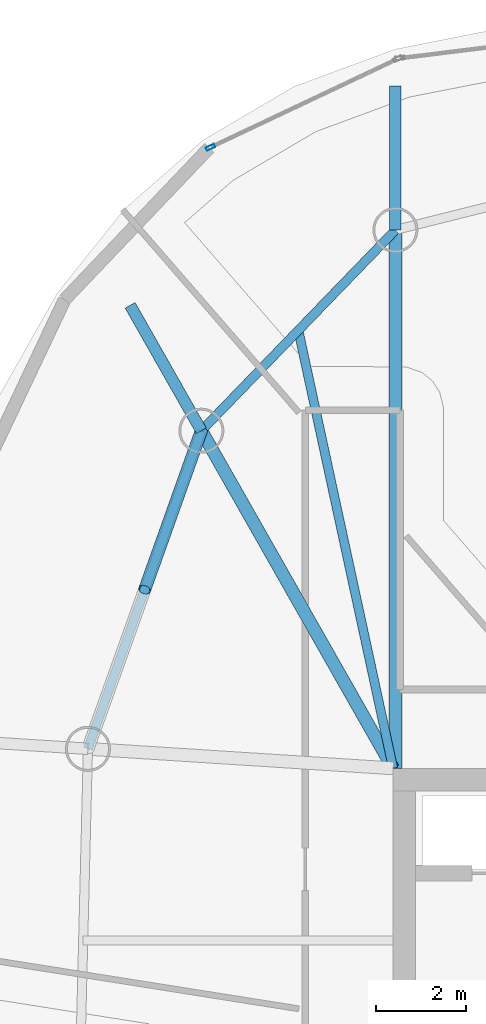
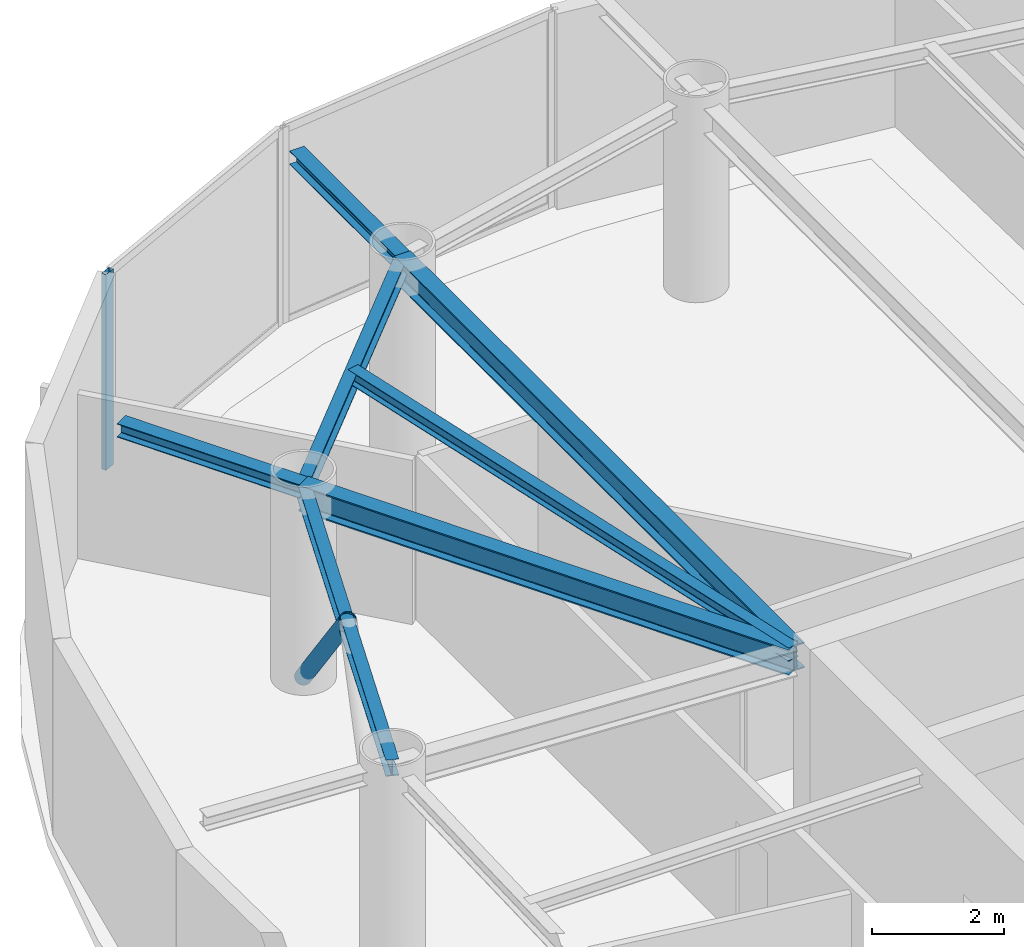
# One storey, part 11 of 21: 7 beams, 2 members, 1 element without a shape of its own.
"""IFC4 building model written with IfcOpenShell, lengths in metres."""

from ifc_helpers import new_model, si_unit, direction, frame, origin, origin_2d, place, context, subcontext, project, spatial, hollow_rectangle, hollow_circle, i_section, extrude, material, layer, layer_set, material_profile, profile_set, type_object, element, aggregate, save


model = new_model("IFC4")

# Units and contexts
model_context = context("Model", 3, precision=1e-05, world=origin(), true_north=direction((0.0, 1.0)))
body_context = subcontext(model_context, "Body", "Model", "MODEL_VIEW")
ifc_project = project(units=[si_unit("LENGTHUNIT", "METRE"), si_unit("AREAUNIT", "SQUARE_METRE"), si_unit("VOLUMEUNIT", "CUBIC_METRE"), si_unit("PLANEANGLEUNIT", "RADIAN"), si_unit("MASSUNIT", "GRAM", prefix="KILO")], contexts=[model_context])

# Site, building, storey
site_placement = place(None, origin())
site = spatial("IfcSite", under=ifc_project, at=site_placement, CompositionType="ELEMENT")
building_placement = place(site_placement, origin())
building = spatial("IfcBuilding", under=site, at=building_placement, Name="Bramvorn Convention Spire", CompositionType="ELEMENT")
storey_placement = place(building_placement, frame((0.0, 0.0, 249.75)))
storey = spatial("IfcBuildingStorey", under=building, at=storey_placement, Name="L63", CompositionType="ELEMENT", Elevation=249.75)

# Beams
ifc_material_1 = material(Name="Steel CSA G40.21 Grade 350 (350W)", Category="steel")
ifc_material_profile_1 = material_profile(ifc_material_1, i_section(OverallWidth=0.201904296875, OverallDepth=0.2470703125, WebThickness=0.00732421875, FlangeThickness=0.010986328125, FilletRadius=0.011962890625, at=origin_2d()))
ifc_profile_set_1 = profile_set([ifc_material_profile_1], Name="Steel CSA G40.21 Grade 350 (350W) - W250X49")
beam_type_1 = type_object("IfcBeamType", Name="BM-W250X49", PredefinedType="JOIST", material=ifc_profile_set_1)
beam_1_placement = place(storey_placement, frame((26.75, 33.449951171875, 3.50146484375), z_axis=(-0.211461445939, 0.977386339623, 0.0), x_axis=(-0.977386339623, -0.211461445939, 0.0)))
element("IfcBeam", 1, at=beam_1_placement, inside=storey, type_object=beam_type_1, Name="L63 composite floor joist 09", PredefinedType="JOIST", context=body_context, shape_type="SweptSolid", body=[
    extrude(i_section(OverallWidth=0.201904296875, OverallDepth=0.2470703125, WebThickness=0.00732421875, FlangeThickness=0.010986328125, FilletRadius=0.011962890625, at=origin_2d()), origin(), (0.0, 0.0, 1.0), 9.9462890625),
])
ifc_material_profile_2 = material_profile(ifc_material_1, i_section(OverallWidth=0.25390625, OverallDepth=0.2529296875, WebThickness=0.008544921875, FlangeThickness=0.01416015625, FilletRadius=0.011962890625, at=origin_2d()))
ifc_profile_set_2 = profile_set([ifc_material_profile_2], Name="Steel CSA G40.21 Grade 350 (350W) - W250X73")
beam_type_2 = type_object("IfcBeamType", Name="BM-W250X73", PredefinedType="BEAM", material=ifc_profile_set_2)
beam_2_placement = place(storey_placement, frame((26.800048828125, 45.39892578125, 3.49853515625), z_axis=(0.0, 1.0, 0.0), x_axis=(-1.0, 0.0, 0.0)))
element("IfcBeam", 2, at=beam_2_placement, inside=storey, type_object=beam_type_2, Name="L63 slab-edge cantilever tip beam MC09", PredefinedType="BEAM", context=body_context, shape_type="SweptSolid", body=[
    extrude(i_section(OverallWidth=0.25390625, OverallDepth=0.2529296875, WebThickness=0.008544921875, FlangeThickness=0.01416015625, FilletRadius=0.011962890625, at=origin_2d()), origin(), (0.0, 0.0, 1.0), 3.2001953125),
])
beam_3_placement = place(storey_placement, frame((22.49365234375, 40.94384765625, 3.49853515625), z_axis=(-0.493918961888, 0.869507940785, 0.0), x_axis=(-0.869507940785, -0.493918961888, 0.0)))
element("IfcBeam", 3, at=beam_3_placement, inside=storey, type_object=beam_type_2, Name="L63 slab-edge cantilever tip beam MC10", PredefinedType="BEAM", context=body_context, shape_type="SweptSolid", body=[
    extrude(i_section(OverallWidth=0.25390625, OverallDepth=0.2529296875, WebThickness=0.008544921875, FlangeThickness=0.01416015625, FilletRadius=0.011962890625, at=origin_2d()), origin(), (0.0, 0.0, 1.0), 3.199951171875),
])
ifc_material_profile_3 = material_profile(ifc_material_1, i_section(OverallWidth=0.202880859375, OverallDepth=0.302978515625, WebThickness=0.007568359375, FlangeThickness=0.01318359375, FilletRadius=0.013916015625, at=origin_2d()))
ifc_profile_set_3 = profile_set([ifc_material_profile_3], Name="Steel CSA G40.21 Grade 350 (350W) - W310X60")
beam_type_3 = type_object("IfcBeamType", Name="BM-W310X60", PredefinedType="JOIST", material=ifc_profile_set_3)
beam_4_placement = place(storey_placement, frame((26.800048828125, 45.39892578125, 3.473388671875), z_axis=(-0.695007159797, -0.719002814898, 0.0), x_axis=(0.719002814898, -0.695007159797, 0.0)))
element("IfcBeam", 4, at=beam_4_placement, inside=storey, type_object=beam_type_3, Name="L63 mega-column ring beam 09", PredefinedType="JOIST", context=body_context, shape_type="SweptSolid", body=[
    extrude(i_section(OverallWidth=0.202880859375, OverallDepth=0.302978515625, WebThickness=0.007568359375, FlangeThickness=0.01318359375, FilletRadius=0.013916015625, at=origin_2d()), origin(), (0.0, 0.0, 1.0), 6.1962890625),
])
beam_5_placement = place(storey_placement, frame((22.49365234375, 40.94384765625, 3.473388671875), z_axis=(-0.335839090413, -0.941919373063, 0.0), x_axis=(0.941919373063, -0.335839090413, 0.0)))
element("IfcBeam", 5, at=beam_5_placement, inside=storey, type_object=beam_type_3, Name="L63 mega-column ring beam 10", PredefinedType="JOIST", context=body_context, shape_type="SweptSolid", body=[
    extrude(i_section(OverallWidth=0.202880859375, OverallDepth=0.302978515625, WebThickness=0.007568359375, FlangeThickness=0.01318359375, FilletRadius=0.013916015625, at=origin_2d()), origin(), (0.0, 0.0, 1.0), 7.49560546875),
])
ifc_material_profile_4 = material_profile(ifc_material_1, i_section(OverallWidth=0.283935546875, OverallDepth=0.47607421875, WebThickness=0.014892578125, FlangeThickness=0.02392578125, FilletRadius=0.01806640625, at=origin_2d()))
ifc_profile_set_4 = profile_set([ifc_material_profile_4], Name="Steel CSA G40.21 Grade 350 (350W) - W460X158")
beam_type_4 = type_object("IfcBeamType", Name="BM-W460X158", PredefinedType="SPANDREL", material=ifc_profile_set_4)
beam_6_placement = place(storey_placement, frame((26.800048828125, 33.449951171875, 3.386962890625), z_axis=(0.0, 1.0, 0.0), x_axis=(-1.0, 0.0, 0.0)))
element("IfcBeam", 6, at=beam_6_placement, inside=storey, type_object=beam_type_4, Name="L63 radial floor girder MC09", PredefinedType="SPANDREL", context=body_context, shape_type="SweptSolid", body=[
    extrude(i_section(OverallWidth=0.283935546875, OverallDepth=0.47607421875, WebThickness=0.014892578125, FlangeThickness=0.02392578125, FilletRadius=0.01806640625, at=origin_2d()), origin(), (0.0, 0.0, 1.0), 11.948974609375),
])
beam_7_placement = place(storey_placement, frame((26.75, 33.449951171875, 3.386962890625), z_axis=(-0.493873612118, 0.869533699895, 0.0), x_axis=(-0.869533699895, -0.493873612118, 0.0)))
element("IfcBeam", 7, at=beam_7_placement, inside=storey, type_object=beam_type_4, Name="L63 radial floor girder MC10", PredefinedType="SPANDREL", context=body_context, shape_type="SweptSolid", body=[
    extrude(i_section(OverallWidth=0.283935546875, OverallDepth=0.47607421875, WebThickness=0.014892578125, FlangeThickness=0.02392578125, FilletRadius=0.01806640625, at=origin_2d()), origin(), (0.0, 0.0, 1.0), 8.618408203125),
])

# Curtain wall, member
ifc_material_2 = material(Name="Anodised Bronze Unitised Curtain Wall", Category="aluminium")
ifc_layer = layer(ifc_material_2, 0.179931640625)
ifc_layer_set = layer_set([ifc_layer], Name="Anodised Bronze Unitised Curtain Wall - CW-OFF-FRIT")
curtain_wall_type = type_object("IfcCurtainWallType", Name="CW-OFF-FRIT", PredefinedType="USERDEFINED", material=ifc_layer_set)
curtain_wall_placement = place(storey_placement, origin())
curtain_wall = element("IfcCurtainWall", 8, at=curtain_wall_placement, inside=storey, type_object=curtain_wall_type, Name="L63 fritted glass curtain wall 12", ObjectType="UNITISED CURTAIN WALL", PredefinedType="USERDEFINED")
ifc_material_3 = material(Name="Anodised Bronze Aluminium 6063-T6", Category="aluminium")
ifc_material_profile_5 = material_profile(ifc_material_3, hollow_rectangle(XDim=0.080078125, YDim=0.199951171875, WallThickness=0.00390625, InnerFilletRadius=0.0009765625, OuterFilletRadius=0.00390625, at=origin_2d()))
ifc_profile_set_5 = profile_set([ifc_material_profile_5], Name="Anodised Bronze Aluminium 6063-T6 - CWM80X200")
member_type_1 = type_object("IfcMemberType", Name="CW-MUL-180", PredefinedType="MULLION", material=ifc_profile_set_5)
member_1_placement = place(storey_placement, frame((22.6943359375, 47.233154296875, 0.0), z_axis=(0.0, 0.0, 1.0), x_axis=(-0.427408695539, 0.904058519664, 0.0)))
member_1 = element("IfcMember", 9, at=member_1_placement, type_object=member_type_1, Name="CW3 mullion 1", PredefinedType="MULLION", context=body_context, shape_type="SweptSolid", body=[
    extrude(hollow_rectangle(XDim=0.080078125, YDim=0.199951171875, WallThickness=0.00390625, InnerFilletRadius=0.0009765625, OuterFilletRadius=0.00390625, at=origin_2d()), origin(), (0.0, 0.0, 1.0), 3.625),
])
aggregate(curtain_wall, [member_1])

# Member
ifc_material_profile_6 = material_profile(ifc_material_1, hollow_circle(Radius=0.136474609375, WallThickness=0.0126953125, at=origin_2d()))
ifc_profile_set_6 = profile_set([ifc_material_profile_6], Name="Steel CSA G40.21 Grade 350 (350W) - CHS273X13")
member_type_2 = type_object("IfcMemberType", Name="MBR-CHS273X13", PredefinedType="BRACE", material=ifc_profile_set_6)
member_2_placement = place(storey_placement, frame((22.49365234375, 40.94384765625, 0.0), z_axis=(-0.241415019829, -0.677048329465, 0.695215324751), x_axis=(0.941912743486, -0.335857683639, 0.0)))
element("IfcMember", 10, at=member_2_placement, inside=storey, type_object=member_type_2, Name="L63 perimeter Gothic lancet brace 10A", PredefinedType="BRACE", context=body_context, shape_type="SweptSolid", body=[
    extrude(hollow_circle(Radius=0.136474609375, WallThickness=0.0126953125, at=origin_2d()), origin(), (0.0, 0.0, 1.0), 5.214111328125),
])

save(model, "model.ifc")
